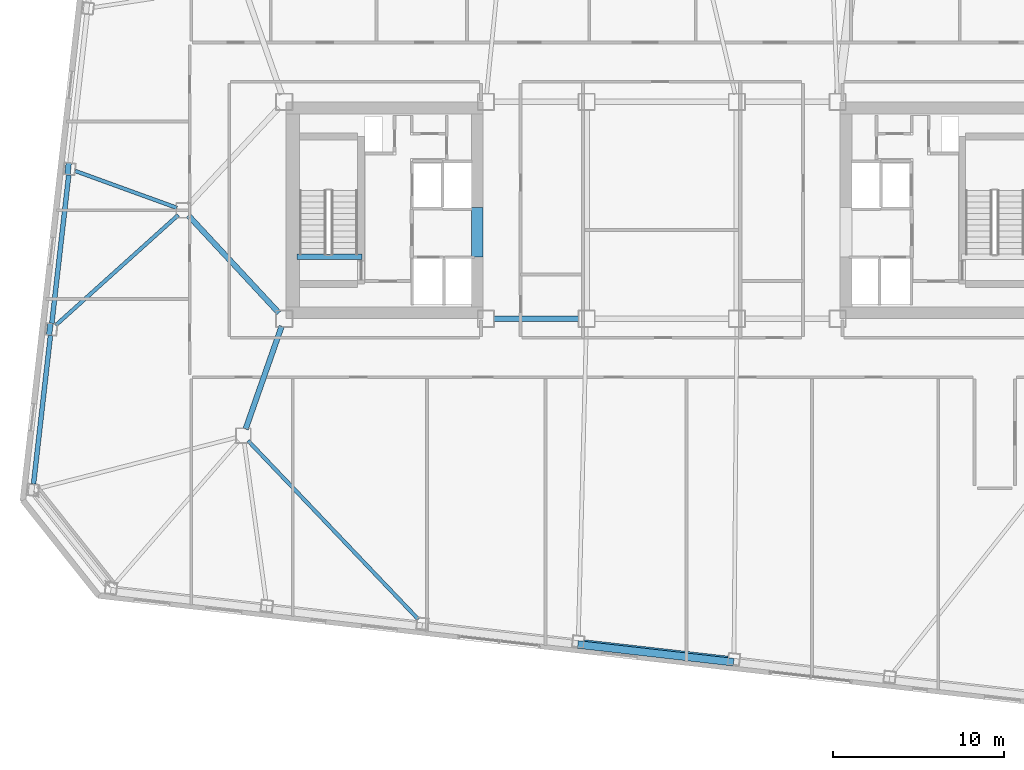
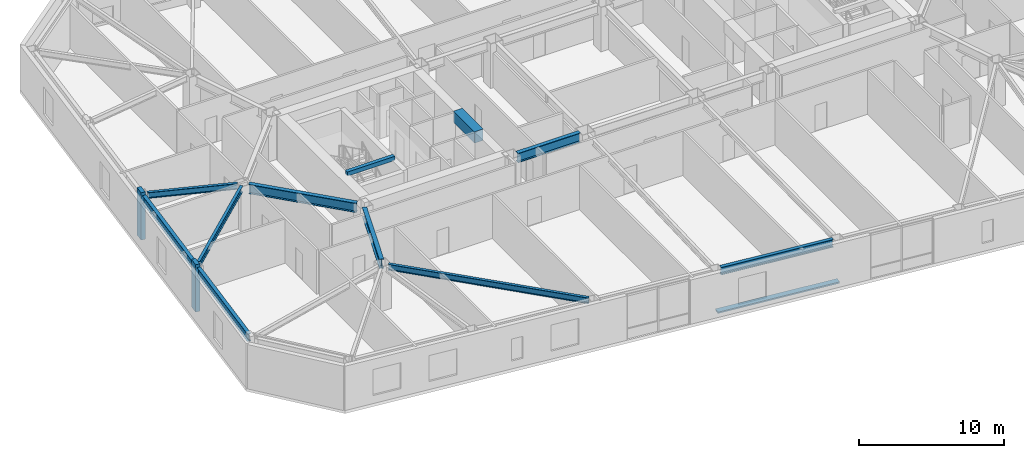
# One storey, part 5 of 23: 11 beams, 3 members.
"""IFC4 building model written with IfcOpenShell, lengths in metres."""

from ifc_helpers import new_model, si_unit, direction, frame, origin, origin_2d, place, context, subcontext, project, spatial, rectangle, i_section, extrude, material, material_profile, profile_set, type_object, element, save


model = new_model("IFC4")

# Units and contexts
model_context = context("Model", 3, precision=1e-05, world=origin(), true_north=direction((0.0, 1.0)))
body_context = subcontext(model_context, "Body", "Model", "MODEL_VIEW")
ifc_project = project(units=[si_unit("LENGTHUNIT", "METRE"), si_unit("AREAUNIT", "SQUARE_METRE"), si_unit("VOLUMEUNIT", "CUBIC_METRE"), si_unit("PLANEANGLEUNIT", "RADIAN"), si_unit("MASSUNIT", "GRAM", prefix="KILO")], contexts=[model_context])

# Site, building, storey
site_placement = place(None, origin())
site = spatial("IfcSite", under=ifc_project, at=site_placement, CompositionType="ELEMENT")
building_placement = place(site_placement, origin())
building = spatial("IfcBuilding", under=site, at=building_placement, Name="Tavrogorsk Clinical Tower", CompositionType="ELEMENT")
storey_placement = place(building_placement, frame((0.0, 0.0, 113.39990234375)))
storey = spatial("IfcBuildingStorey", under=building, at=storey_placement, Name="L25", CompositionType="ELEMENT", Elevation=113.39990234375)

# Member
ifc_material_1 = material(Name="Anodised aluminium alloy AW-6063", Category="aluminium")
ifc_material_profile_1 = material_profile(ifc_material_1, rectangle(XDim=0.449951171875, YDim=0.1201171875, at=origin_2d()), Name="ALU-SUNSHADE-450x120")
ifc_profile_set_1 = profile_set([ifc_material_profile_1], Name="Anodised aluminium alloy AW-6063")
member_type_1 = type_object("IfcMemberType", Name="ChicagoSunshade_450x120", PredefinedType="USERDEFINED", material=ifc_profile_set_1)
member_placement = place(storey_placement, frame((-4.909912109375, -25.42431640625, 0.18017578125), z_axis=(0.993572654864, -0.113196199166, 0.0), x_axis=(0.113196199166, 0.993572654864, 0.0)))
element("IfcMember", 1, at=member_placement, inside=storey, type_object=member_type_1, Name="L25 South Aluminium Sunshade S4", ObjectType="SUNSHADE", PredefinedType="USERDEFINED", context=body_context, shape_type="SweptSolid", body=[
    extrude(rectangle(XDim=0.449951171875, YDim=0.1201171875, at=origin_2d()), origin(), (0.0, 0.0, 1.0), 9.17724609375),
])

# Beams
ifc_material_2 = material(Name="Concrete B80", Category="concrete")
ifc_material_profile_2 = material_profile(ifc_material_2, rectangle(XDim=0.699951171875, YDim=0.949951171875, at=origin_2d()), Name="RC-CB-700x950")
ifc_profile_set_2 = profile_set([ifc_material_profile_2], Name="Concrete B80")
beam_type_1 = type_object("IfcBeamType", Name="CouplingBeam_RC700x950", PredefinedType="LINTEL", material=ifc_profile_set_2)
beam_1_placement = place(storey_placement, frame((-10.800048828125, -2.75, 3.26513671875), z_axis=(0.0, 1.0, 0.0), x_axis=(-1.0, 0.0, 0.0)))
element("IfcBeam", 2, at=beam_1_placement, inside=storey, type_object=beam_type_1, Name="L25 Core West Coupling Beam", PredefinedType="LINTEL", context=body_context, shape_type="SweptSolid", body=[
    extrude(rectangle(XDim=0.699951171875, YDim=0.949951171875, at=origin_2d()), origin(), (0.0, 0.0, 1.0), 2.89990234375),
])
ifc_material_3 = material(Name="Structural steel S355", Category="steel")
ifc_material_profile_3 = material_profile(ifc_material_3, i_section(OverallWidth=0.219970703125, OverallDepth=0.5, WebThickness=0.012939453125, FlangeThickness=0.02001953125, at=origin_2d()), Name="B-500x220x13x20")
ifc_profile_set_3 = profile_set([ifc_material_profile_3], Name="Structural steel S355")
beam_type_2 = type_object("IfcBeamType", Name="FloorBeam_B500", PredefinedType="BEAM", material=ifc_profile_set_3)
beam_2_placement = place(storey_placement, frame((-24.217041015625, -13.496826171875, 3.489990234375), z_axis=(0.689995410805, -0.723813741972, 0.0), x_axis=(0.723813741972, 0.689995410805, 0.0)))
element("IfcBeam", 3, at=beam_2_placement, inside=storey, type_object=beam_type_2, Name="L25 Radial Floor Beam S3", PredefinedType="BEAM", context=body_context, shape_type="SweptSolid", body=[
    extrude(i_section(OverallWidth=0.219970703125, OverallDepth=0.5, WebThickness=0.012939453125, FlangeThickness=0.02001953125, at=origin_2d()), origin(), (0.0, 0.0, 1.0), 14.4384765625),
])
beam_3_placement = place(storey_placement, frame((-28.385498046875, 0.139892578125, 3.489990234375), z_axis=(-0.939993443432, 0.341192506225, 0.0), x_axis=(-0.341192506225, -0.939993443432, 0.0)))
element("IfcBeam", 4, at=beam_3_placement, inside=storey, type_object=beam_type_2, Name="L25 Radial Floor Beam W3", PredefinedType="BEAM", context=body_context, shape_type="SweptSolid", body=[
    extrude(i_section(OverallWidth=0.219970703125, OverallDepth=0.5, WebThickness=0.012939453125, FlangeThickness=0.02001953125, at=origin_2d()), origin(), (0.0, 0.0, 1.0), 6.33837890625),
])
beam_4_placement = place(storey_placement, frame((-28.3046875, -0.274169921875, 3.489990234375), z_axis=(-0.743369550828, -0.668880939257, 0.0), x_axis=(0.668880939257, -0.743369550828, 0.0)))
element("IfcBeam", 5, at=beam_4_placement, inside=storey, type_object=beam_type_2, Name="L25 Radial Floor Beam W4", PredefinedType="BEAM", context=body_context, shape_type="SweptSolid", body=[
    extrude(i_section(OverallWidth=0.219970703125, OverallDepth=0.5, WebThickness=0.012939453125, FlangeThickness=0.02001953125, at=origin_2d()), origin(), (0.0, 0.0, 1.0), 9.658935546875),
])

# Members
ifc_material_4 = material(Name="Precast concrete B45 with limestone cladding", Category="masonry")
ifc_material_profile_4 = material_profile(ifc_material_4, rectangle(XDim=0.320068359375, YDim=0.719970703125, at=origin_2d()), Name="LIMESTONE-FIN-320x720")
ifc_profile_set_4 = profile_set([ifc_material_profile_4], Name="Precast concrete B45 with limestone cladding")
member_type_2 = type_object("IfcMemberType", Name="LimestonePleatFin_320x720", PredefinedType="USERDEFINED", material=ifc_profile_set_4)
for number, where, z_axis, x_axis, name in (
    (6, (-34.759521484375, 2.433837890625, 0.0), (0.0, 0.0, 1.0), (0.993571855677, -0.113203213768, 0.0), "L25 W Pleated Stone Fin 2"),
    (7, (-35.83056640625, -6.96533203125, 0.0), (0.0, 0.0, 1.0), (0.993571855677, -0.113203213768, 0.0), "L25 W Pleated Stone Fin 3"),
):
    element("IfcMember", number, at=place(storey_placement, frame(where, z_axis=z_axis, x_axis=x_axis)), inside=storey, type_object=member_type_2, Name=name, ObjectType="FIN", PredefinedType="USERDEFINED", context=body_context, shape_type="SweptSolid", body=[
        extrude(rectangle(XDim=0.320068359375, YDim=0.719970703125, at=origin_2d()), origin(), (0.0, 0.0, 1.0), 4.0),
    ])

# Beams
ifc_material_5 = material(Name="Structural steel S390", Category="steel")
ifc_material_profile_5 = material_profile(ifc_material_5, i_section(OverallWidth=0.320068359375, OverallDepth=0.800048828125, WebThickness=0.02001953125, FlangeThickness=0.033935546875, at=origin_2d()), Name="B-800x320x20x34")
ifc_profile_set_5 = profile_set([ifc_material_profile_5], Name="Structural steel S390")
beam_type_3 = type_object("IfcBeamType", Name="PrimaryGirder_B800", PredefinedType="USERDEFINED", material=ifc_profile_set_5)
beam_5_placement = place(storey_placement, frame((-9.840087890625, -6.35009765625, 3.340087890625), z_axis=(1.0, 0.0, 0.0), x_axis=(0.0, 1.0, 0.0)))
element("IfcBeam", 8, at=beam_5_placement, inside=storey, type_object=beam_type_3, Name="L25 Primary Spine Girder MG-01", ObjectType="GIRDER", PredefinedType="USERDEFINED", context=body_context, shape_type="SweptSolid", body=[
    extrude(i_section(OverallWidth=0.320068359375, OverallDepth=0.800048828125, WebThickness=0.02001953125, FlangeThickness=0.033935546875, at=origin_2d()), origin(), (0.0, 0.0, 1.0), 4.97998046875),
])
beam_6_placement = place(storey_placement, frame((-24.364501953125, -12.81298828125, 3.340087890625), z_axis=(0.330660234815, 0.943749865755, 0.0), x_axis=(-0.943749865755, 0.330660234815, 0.0)))
element("IfcBeam", 9, at=beam_6_placement, inside=storey, type_object=beam_type_3, Name="L25 Spine Link Girder OPG-1", ObjectType="GIRDER", PredefinedType="USERDEFINED", context=body_context, shape_type="SweptSolid", body=[
    extrude(i_section(OverallWidth=0.320068359375, OverallDepth=0.800048828125, WebThickness=0.02001953125, FlangeThickness=0.033935546875, at=origin_2d()), origin(), (0.0, 0.0, 1.0), 6.38818359375),
])
beam_7_placement = place(storey_placement, frame((-27.720947265625, -0.30029296875, 3.340087890625), z_axis=(0.680675630035, -0.732584934787, 0.0), x_axis=(0.732584934787, 0.680675630035, 0.0)))
element("IfcBeam", 10, at=beam_7_placement, inside=storey, type_object=beam_type_3, Name="L25 Spine Link Girder OPG-5", ObjectType="GIRDER", PredefinedType="USERDEFINED", context=body_context, shape_type="SweptSolid", body=[
    extrude(i_section(OverallWidth=0.320068359375, OverallDepth=0.800048828125, WebThickness=0.02001953125, FlangeThickness=0.033935546875, at=origin_2d()), origin(), (0.0, 0.0, 1.0), 7.7978515625),
])
ifc_material_6 = material(Name="Structural steel S390", Category="steel")
ifc_material_profile_6 = material_profile(ifc_material_6, i_section(OverallWidth=0.280029296875, OverallDepth=0.64990234375, WebThickness=0.01611328125, FlangeThickness=0.02490234375, at=origin_2d()), Name="B-650x280x16x25")
ifc_profile_set_6 = profile_set([ifc_material_profile_6], Name="Structural steel S390")
beam_type_4 = type_object("IfcBeamType", Name="SpandrelBeam_B650", PredefinedType="SPANDREL", material=ifc_profile_set_6)
beam_8_placement = place(storey_placement, frame((-4.533935546875, -25.2861328125, 3.4150390625), z_axis=(0.993572695356, -0.113195843756, 0.0), x_axis=(0.113195843756, 0.993572695356, 0.0)))
element("IfcBeam", 11, at=beam_8_placement, inside=storey, type_object=beam_type_4, Name="L25 Perimeter Spandrel S4-S5", PredefinedType="SPANDREL", context=body_context, shape_type="SweptSolid", body=[
    extrude(i_section(OverallWidth=0.280029296875, OverallDepth=0.64990234375, WebThickness=0.01611328125, FlangeThickness=0.02490234375, at=origin_2d()), origin(), (0.0, 0.0, 1.0), 8.461181640625),
])
for number, where, z_axis, x_axis, name in (
    (12, (-34.720703125, 2.069091796875, 3.4150390625), (-0.113192226434, -0.993573107464, 0.0), (0.993573107464, -0.113192226434, 0.0), "L25 Perimeter Spandrel W3-W4"),
    (13, (-35.79150390625, -7.330078125, 3.4150390625), (-0.113192226434, -0.993573107464, 0.0), (0.993573107464, -0.113192226434, 0.0), "L25 Perimeter Spandrel W4-W5"),
):
    element("IfcBeam", number, at=place(storey_placement, frame(where, z_axis=z_axis, x_axis=x_axis)), inside=storey, type_object=beam_type_4, Name=name, PredefinedType="SPANDREL", context=body_context, shape_type="SweptSolid", body=[
        extrude(i_section(OverallWidth=0.280029296875, OverallDepth=0.64990234375, WebThickness=0.01611328125, FlangeThickness=0.02490234375, at=origin_2d()), origin(), (0.0, 0.0, 1.0), 8.743896484375),
    ])
ifc_material_7 = material(Name="Concrete B60", Category="concrete")
ifc_material_profile_7 = material_profile(ifc_material_7, rectangle(XDim=0.300048828125, YDim=0.35009765625, at=origin_2d()), Name="RC-SHB-300x350")
ifc_profile_set_7 = profile_set([ifc_material_profile_7], Name="Concrete B60")
beam_type_5 = type_object("IfcBeamType", Name="StairHeaderBeam_RC300x350", PredefinedType="BEAM", material=ifc_profile_set_7)
beam_9_placement = place(storey_placement, frame((-21.35009765625, -2.719970703125, 3.8251953125), z_axis=(1.0, 0.0, 0.0), x_axis=(0.0, 1.0, 0.0)))
element("IfcBeam", 14, at=beam_9_placement, inside=storey, type_object=beam_type_5, Name="L26 ST-W Landing Header Beam", PredefinedType="BEAM", context=body_context, shape_type="SweptSolid", body=[
    extrude(rectangle(XDim=0.300048828125, YDim=0.35009765625, at=origin_2d()), origin(), (0.0, 0.0, 1.0), 3.800048828125),
])

save(model, "model.ifc")
